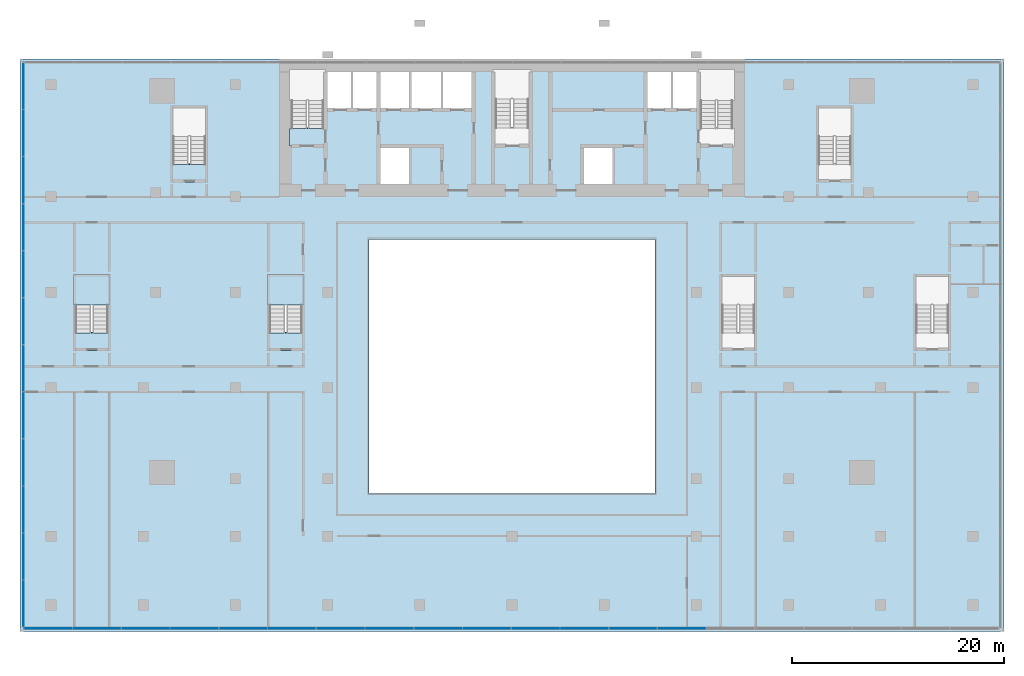
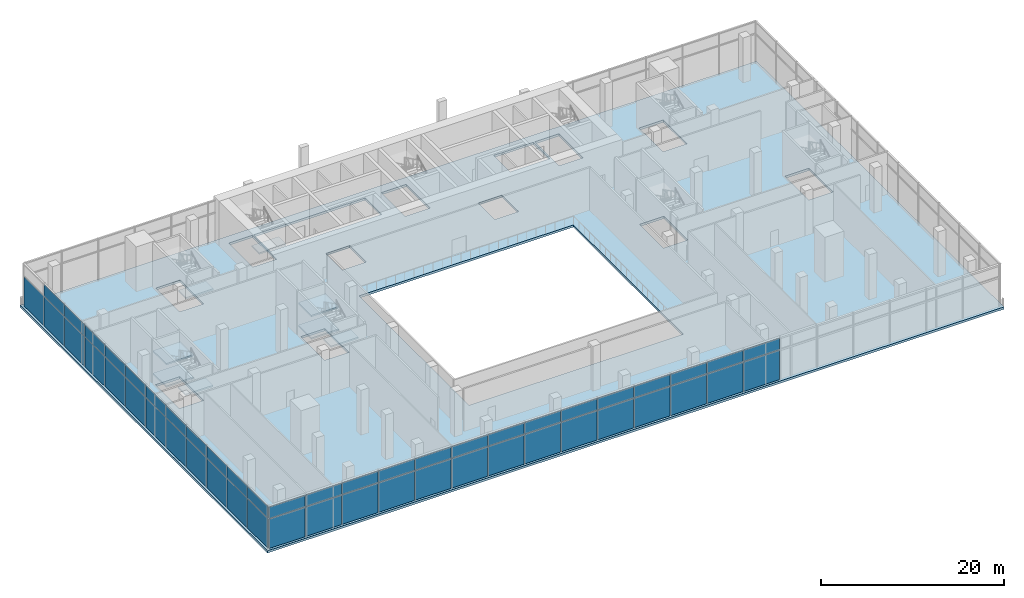
# One storey, part 9 of 22: 51 plates, 9 slabs, 6 elements without a shape of their own.
"""IFC4 building model written with IfcOpenShell, lengths in metres."""

from ifc_helpers import new_model, si_unit, direction, frame, origin, origin_2d, place, context, subcontext, project, spatial, polyline, rectangle, outline, extrude, material, layer, layer_set, type_object, element, aggregate, save


model = new_model("IFC4")

# Units and contexts
model_context = context("Model", 3, precision=1e-05, world=origin(), true_north=direction((0.0, 1.0)))
body_context = subcontext(model_context, "Body", "Model", "MODEL_VIEW")
ifc_project = project(units=[si_unit("LENGTHUNIT", "METRE"), si_unit("AREAUNIT", "SQUARE_METRE"), si_unit("VOLUMEUNIT", "CUBIC_METRE"), si_unit("PLANEANGLEUNIT", "RADIAN"), si_unit("MASSUNIT", "GRAM", prefix="KILO")], contexts=[model_context])

# Site, building, storey
site_placement = place(None, origin())
site = spatial("IfcSite", under=ifc_project, at=site_placement, CompositionType="ELEMENT")
building_placement = place(site_placement, origin())
building = spatial("IfcBuilding", under=site, at=building_placement, Name="Bicima Exchange Tower", CompositionType="ELEMENT")
storey_placement = place(building_placement, frame((0.0, 0.0, 14.0)))
storey = spatial("IfcBuildingStorey", under=building, at=storey_placement, Name="L02", CompositionType="ELEMENT", Elevation=14.0)

# Curtain wall, plates
ifc_material_1 = material(Name="Stainless steel", Category="steel")
curtain_wall_type_1 = type_object("IfcCurtainWallType", Name="Hall structural glazing", PredefinedType="NOTDEFINED", material=ifc_material_1)
curtain_wall_1_placement = place(storey_placement, origin())
curtain_wall_1 = element("IfcCurtainWall", 1, at=curtain_wall_1_placement, inside=storey, type_object=curtain_wall_type_1, Name="Podium glazing L02 south 1", PredefinedType="NOTDEFINED")
ifc_material_2 = material(Name="Clear low-iron glass", Category="glass")
ifc_layer_1 = layer(ifc_material_2, 0.0439453125)
ifc_layer_set_1 = layer_set([ifc_layer_1], Name="Clear low-iron glass")
plate_type_1 = type_object("IfcPlateType", Name="Hall structural glazing glass panel 44", PredefinedType="CURTAIN_PANEL", material=ifc_layer_set_1)
plate_1_placement = place(storey_placement, frame((-43.7607421875, -53.699951171875, 0.0), z_axis=(0.0, 0.0, 1.0), x_axis=(1.0, 0.0, 0.0)))
plate_1 = element("IfcPlate", 2, at=plate_1_placement, type_object=plate_type_1, Name="Hall structural glazing panel 1.1", PredefinedType="CURTAIN_PANEL", context=body_context, shape_type="SweptSolid", body=[
    extrude(rectangle(XDim=4.5185546875, YDim=0.0439453125, at=origin_2d()), origin(), (0.0, 0.0, 1.0), 3.89990234375),
])
plate_2_placement = place(storey_placement, frame((-43.7607421875, -53.699951171875, 4.0), z_axis=(0.0, 0.0, 1.0), x_axis=(1.0, 0.0, 0.0)))
plate_2 = element("IfcPlate", 3, at=plate_2_placement, type_object=plate_type_1, Name="Hall structural glazing panel 1.2", PredefinedType="CURTAIN_PANEL", context=body_context, shape_type="SweptSolid", body=[
    extrude(rectangle(XDim=4.5185546875, YDim=0.0439453125, at=origin_2d()), origin(), (0.0, 0.0, 1.0), 1.5),
])
plate_3_placement = place(storey_placement, frame((-39.162353515625, -53.699951171875, 0.0), z_axis=(0.0, 0.0, 1.0), x_axis=(1.0, 0.0, 0.0)))
plate_3 = element("IfcPlate", 4, at=plate_3_placement, type_object=plate_type_1, Name="Hall structural glazing panel 2.1", PredefinedType="CURTAIN_PANEL", context=body_context, shape_type="SweptSolid", body=[
    extrude(rectangle(XDim=4.5185546875, YDim=0.0439453125, at=origin_2d()), origin(), (0.0, 0.0, 1.0), 3.89990234375),
])
plate_4_placement = place(storey_placement, frame((-39.162353515625, -53.699951171875, 4.0), z_axis=(0.0, 0.0, 1.0), x_axis=(1.0, 0.0, 0.0)))
plate_4 = element("IfcPlate", 5, at=plate_4_placement, type_object=plate_type_1, Name="Hall structural glazing panel 2.2", PredefinedType="CURTAIN_PANEL", context=body_context, shape_type="SweptSolid", body=[
    extrude(rectangle(XDim=4.5185546875, YDim=0.0439453125, at=origin_2d()), origin(), (0.0, 0.0, 1.0), 1.5),
])
plate_5_placement = place(storey_placement, frame((-34.563720703125, -53.699951171875, 0.0), z_axis=(0.0, 0.0, 1.0), x_axis=(1.0, 0.0, 0.0)))
plate_5 = element("IfcPlate", 6, at=plate_5_placement, type_object=plate_type_1, Name="Hall structural glazing panel 3.1", PredefinedType="CURTAIN_PANEL", context=body_context, shape_type="SweptSolid", body=[
    extrude(rectangle(XDim=4.5185546875, YDim=0.0439453125, at=origin_2d()), origin(), (0.0, 0.0, 1.0), 3.89990234375),
])
plate_6_placement = place(storey_placement, frame((-34.563720703125, -53.699951171875, 4.0), z_axis=(0.0, 0.0, 1.0), x_axis=(1.0, 0.0, 0.0)))
plate_6 = element("IfcPlate", 7, at=plate_6_placement, type_object=plate_type_1, Name="Hall structural glazing panel 3.2", PredefinedType="CURTAIN_PANEL", context=body_context, shape_type="SweptSolid", body=[
    extrude(rectangle(XDim=4.5185546875, YDim=0.0439453125, at=origin_2d()), origin(), (0.0, 0.0, 1.0), 1.5),
])
plate_7_placement = place(storey_placement, frame((-29.96533203125, -53.699951171875, 0.0), z_axis=(0.0, 0.0, 1.0), x_axis=(1.0, 0.0, 0.0)))
plate_7 = element("IfcPlate", 8, at=plate_7_placement, type_object=plate_type_1, Name="Hall structural glazing panel 4.1", PredefinedType="CURTAIN_PANEL", context=body_context, shape_type="SweptSolid", body=[
    extrude(rectangle(XDim=4.5185546875, YDim=0.0439453125, at=origin_2d()), origin(), (0.0, 0.0, 1.0), 3.89990234375),
])
plate_8_placement = place(storey_placement, frame((-29.96533203125, -53.699951171875, 4.0), z_axis=(0.0, 0.0, 1.0), x_axis=(1.0, 0.0, 0.0)))
plate_8 = element("IfcPlate", 9, at=plate_8_placement, type_object=plate_type_1, Name="Hall structural glazing panel 4.2", PredefinedType="CURTAIN_PANEL", context=body_context, shape_type="SweptSolid", body=[
    extrude(rectangle(XDim=4.5185546875, YDim=0.0439453125, at=origin_2d()), origin(), (0.0, 0.0, 1.0), 1.5),
])
plate_9_placement = place(storey_placement, frame((-25.36669921875, -53.699951171875, 0.0), z_axis=(0.0, 0.0, 1.0), x_axis=(1.0, 0.0, 0.0)))
plate_9 = element("IfcPlate", 10, at=plate_9_placement, type_object=plate_type_1, Name="Hall structural glazing panel 5.1", PredefinedType="CURTAIN_PANEL", context=body_context, shape_type="SweptSolid", body=[
    extrude(rectangle(XDim=4.5185546875, YDim=0.0439453125, at=origin_2d()), origin(), (0.0, 0.0, 1.0), 3.89990234375),
])
plate_10_placement = place(storey_placement, frame((-25.36669921875, -53.699951171875, 4.0), z_axis=(0.0, 0.0, 1.0), x_axis=(1.0, 0.0, 0.0)))
plate_10 = element("IfcPlate", 11, at=plate_10_placement, type_object=plate_type_1, Name="Hall structural glazing panel 5.2", PredefinedType="CURTAIN_PANEL", context=body_context, shape_type="SweptSolid", body=[
    extrude(rectangle(XDim=4.5185546875, YDim=0.0439453125, at=origin_2d()), origin(), (0.0, 0.0, 1.0), 1.5),
])
plate_11_placement = place(storey_placement, frame((-20.768310546875, -53.699951171875, 0.0), z_axis=(0.0, 0.0, 1.0), x_axis=(1.0, 0.0, 0.0)))
plate_11 = element("IfcPlate", 12, at=plate_11_placement, type_object=plate_type_1, Name="Hall structural glazing panel 6.1", PredefinedType="CURTAIN_PANEL", context=body_context, shape_type="SweptSolid", body=[
    extrude(rectangle(XDim=4.5185546875, YDim=0.0439453125, at=origin_2d()), origin(), (0.0, 0.0, 1.0), 3.89990234375),
])
plate_12_placement = place(storey_placement, frame((-20.768310546875, -53.699951171875, 4.0), z_axis=(0.0, 0.0, 1.0), x_axis=(1.0, 0.0, 0.0)))
plate_12 = element("IfcPlate", 13, at=plate_12_placement, type_object=plate_type_1, Name="Hall structural glazing panel 6.2", PredefinedType="CURTAIN_PANEL", context=body_context, shape_type="SweptSolid", body=[
    extrude(rectangle(XDim=4.5185546875, YDim=0.0439453125, at=origin_2d()), origin(), (0.0, 0.0, 1.0), 1.5),
])
plate_13_placement = place(storey_placement, frame((-16.169921875, -53.699951171875, 0.0), z_axis=(0.0, 0.0, 1.0), x_axis=(1.0, 0.0, 0.0)))
plate_13 = element("IfcPlate", 14, at=plate_13_placement, type_object=plate_type_1, Name="Hall structural glazing panel 7.1", PredefinedType="CURTAIN_PANEL", context=body_context, shape_type="SweptSolid", body=[
    extrude(rectangle(XDim=4.5185546875, YDim=0.0439453125, at=origin_2d()), origin(), (0.0, 0.0, 1.0), 3.89990234375),
])
plate_14_placement = place(storey_placement, frame((-16.169921875, -53.699951171875, 4.0), z_axis=(0.0, 0.0, 1.0), x_axis=(1.0, 0.0, 0.0)))
plate_14 = element("IfcPlate", 15, at=plate_14_placement, type_object=plate_type_1, Name="Hall structural glazing panel 7.2", PredefinedType="CURTAIN_PANEL", context=body_context, shape_type="SweptSolid", body=[
    extrude(rectangle(XDim=4.5185546875, YDim=0.0439453125, at=origin_2d()), origin(), (0.0, 0.0, 1.0), 1.5),
])
plate_15_placement = place(storey_placement, frame((-11.5712890625, -53.699951171875, 0.0), z_axis=(0.0, 0.0, 1.0), x_axis=(1.0, 0.0, 0.0)))
plate_15 = element("IfcPlate", 16, at=plate_15_placement, type_object=plate_type_1, Name="Hall structural glazing panel 8.1", PredefinedType="CURTAIN_PANEL", context=body_context, shape_type="SweptSolid", body=[
    extrude(rectangle(XDim=4.5185546875, YDim=0.0439453125, at=origin_2d()), origin(), (0.0, 0.0, 1.0), 3.89990234375),
])
plate_16_placement = place(storey_placement, frame((-11.5712890625, -53.699951171875, 4.0), z_axis=(0.0, 0.0, 1.0), x_axis=(1.0, 0.0, 0.0)))
plate_16 = element("IfcPlate", 17, at=plate_16_placement, type_object=plate_type_1, Name="Hall structural glazing panel 8.2", PredefinedType="CURTAIN_PANEL", context=body_context, shape_type="SweptSolid", body=[
    extrude(rectangle(XDim=4.5185546875, YDim=0.0439453125, at=origin_2d()), origin(), (0.0, 0.0, 1.0), 1.5),
])
plate_17_placement = place(storey_placement, frame((-6.972900390625, -53.699951171875, 0.0), z_axis=(0.0, 0.0, 1.0), x_axis=(1.0, 0.0, 0.0)))
plate_17 = element("IfcPlate", 18, at=plate_17_placement, type_object=plate_type_1, Name="Hall structural glazing panel 9.1", PredefinedType="CURTAIN_PANEL", context=body_context, shape_type="SweptSolid", body=[
    extrude(rectangle(XDim=4.5185546875, YDim=0.0439453125, at=origin_2d()), origin(), (0.0, 0.0, 1.0), 3.89990234375),
])
plate_18_placement = place(storey_placement, frame((-6.972900390625, -53.699951171875, 4.0), z_axis=(0.0, 0.0, 1.0), x_axis=(1.0, 0.0, 0.0)))
plate_18 = element("IfcPlate", 19, at=plate_18_placement, type_object=plate_type_1, Name="Hall structural glazing panel 9.2", PredefinedType="CURTAIN_PANEL", context=body_context, shape_type="SweptSolid", body=[
    extrude(rectangle(XDim=4.5185546875, YDim=0.0439453125, at=origin_2d()), origin(), (0.0, 0.0, 1.0), 1.5),
])
plate_19_placement = place(storey_placement, frame((-2.374267578125, -53.699951171875, 0.0), z_axis=(0.0, 0.0, 1.0), x_axis=(1.0, 0.0, 0.0)))
plate_19 = element("IfcPlate", 20, at=plate_19_placement, type_object=plate_type_1, Name="Hall structural glazing panel 10.1", PredefinedType="CURTAIN_PANEL", context=body_context, shape_type="SweptSolid", body=[
    extrude(rectangle(XDim=4.5185546875, YDim=0.0439453125, at=origin_2d()), origin(), (0.0, 0.0, 1.0), 3.89990234375),
])
plate_20_placement = place(storey_placement, frame((-2.374267578125, -53.699951171875, 4.0), z_axis=(0.0, 0.0, 1.0), x_axis=(1.0, 0.0, 0.0)))
plate_20 = element("IfcPlate", 21, at=plate_20_placement, type_object=plate_type_1, Name="Hall structural glazing panel 10.2", PredefinedType="CURTAIN_PANEL", context=body_context, shape_type="SweptSolid", body=[
    extrude(rectangle(XDim=4.5185546875, YDim=0.0439453125, at=origin_2d()), origin(), (0.0, 0.0, 1.0), 1.5),
])
plate_21_placement = place(storey_placement, frame((2.22412109375, -53.699951171875, 0.0), z_axis=(0.0, 0.0, 1.0), x_axis=(1.0, 0.0, 0.0)))
plate_21 = element("IfcPlate", 22, at=plate_21_placement, type_object=plate_type_1, Name="Hall structural glazing panel 11.1", PredefinedType="CURTAIN_PANEL", context=body_context, shape_type="SweptSolid", body=[
    extrude(rectangle(XDim=4.5185546875, YDim=0.0439453125, at=origin_2d()), origin(), (0.0, 0.0, 1.0), 3.89990234375),
])
plate_22_placement = place(storey_placement, frame((2.22412109375, -53.699951171875, 4.0), z_axis=(0.0, 0.0, 1.0), x_axis=(1.0, 0.0, 0.0)))
plate_22 = element("IfcPlate", 23, at=plate_22_placement, type_object=plate_type_1, Name="Hall structural glazing panel 11.2", PredefinedType="CURTAIN_PANEL", context=body_context, shape_type="SweptSolid", body=[
    extrude(rectangle(XDim=4.5185546875, YDim=0.0439453125, at=origin_2d()), origin(), (0.0, 0.0, 1.0), 1.5),
])
plate_23_placement = place(storey_placement, frame((6.82275390625, -53.699951171875, 0.0), z_axis=(0.0, 0.0, 1.0), x_axis=(1.0, 0.0, 0.0)))
plate_23 = element("IfcPlate", 24, at=plate_23_placement, type_object=plate_type_1, Name="Hall structural glazing panel 12.1", PredefinedType="CURTAIN_PANEL", context=body_context, shape_type="SweptSolid", body=[
    extrude(rectangle(XDim=4.5185546875, YDim=0.0439453125, at=origin_2d()), origin(), (0.0, 0.0, 1.0), 3.89990234375),
])
plate_24_placement = place(storey_placement, frame((6.82275390625, -53.699951171875, 4.0), z_axis=(0.0, 0.0, 1.0), x_axis=(1.0, 0.0, 0.0)))
plate_24 = element("IfcPlate", 25, at=plate_24_placement, type_object=plate_type_1, Name="Hall structural glazing panel 12.2", PredefinedType="CURTAIN_PANEL", context=body_context, shape_type="SweptSolid", body=[
    extrude(rectangle(XDim=4.5185546875, YDim=0.0439453125, at=origin_2d()), origin(), (0.0, 0.0, 1.0), 1.5),
])
plate_25_placement = place(storey_placement, frame((11.421142578125, -53.699951171875, 0.0), z_axis=(0.0, 0.0, 1.0), x_axis=(1.0, 0.0, 0.0)))
plate_25 = element("IfcPlate", 26, at=plate_25_placement, type_object=plate_type_1, Name="Hall structural glazing panel 13.1", PredefinedType="CURTAIN_PANEL", context=body_context, shape_type="SweptSolid", body=[
    extrude(rectangle(XDim=4.5185546875, YDim=0.0439453125, at=origin_2d()), origin(), (0.0, 0.0, 1.0), 3.89990234375),
])
plate_26_placement = place(storey_placement, frame((11.421142578125, -53.699951171875, 4.0), z_axis=(0.0, 0.0, 1.0), x_axis=(1.0, 0.0, 0.0)))
plate_26 = element("IfcPlate", 27, at=plate_26_placement, type_object=plate_type_1, Name="Hall structural glazing panel 13.2", PredefinedType="CURTAIN_PANEL", context=body_context, shape_type="SweptSolid", body=[
    extrude(rectangle(XDim=4.5185546875, YDim=0.0439453125, at=origin_2d()), origin(), (0.0, 0.0, 1.0), 1.5),
])
plate_27_placement = place(storey_placement, frame((16.019775390625, -53.699951171875, 0.0), z_axis=(0.0, 0.0, 1.0), x_axis=(1.0, 0.0, 0.0)))
plate_27 = element("IfcPlate", 28, at=plate_27_placement, type_object=plate_type_1, Name="Hall structural glazing panel 14.1", PredefinedType="CURTAIN_PANEL", context=body_context, shape_type="SweptSolid", body=[
    extrude(rectangle(XDim=4.5185546875, YDim=0.0439453125, at=origin_2d()), origin(), (0.0, 0.0, 1.0), 3.89990234375),
])
plate_28_placement = place(storey_placement, frame((16.019775390625, -53.699951171875, 4.0), z_axis=(0.0, 0.0, 1.0), x_axis=(1.0, 0.0, 0.0)))
plate_28 = element("IfcPlate", 29, at=plate_28_placement, type_object=plate_type_1, Name="Hall structural glazing panel 14.2", PredefinedType="CURTAIN_PANEL", context=body_context, shape_type="SweptSolid", body=[
    extrude(rectangle(XDim=4.5185546875, YDim=0.0439453125, at=origin_2d()), origin(), (0.0, 0.0, 1.0), 1.5),
])
aggregate(curtain_wall_1, [plate_1, plate_2, plate_3, plate_4, plate_5, plate_6, plate_7, plate_8, plate_9, plate_10, plate_11, plate_12, plate_13, plate_14, plate_15, plate_16, plate_17, plate_18, plate_19, plate_20, plate_21, plate_22, plate_23, plate_24, plate_25, plate_26, plate_27, plate_28])

ifc_material_3 = material(Name="Anodised bronze aluminium", Category="aluminium")
curtain_wall_type_2 = type_object("IfcCurtainWallType", Name="Lobby glazing", PredefinedType="NOTDEFINED", material=ifc_material_3)
curtain_wall_2_placement = place(storey_placement, origin())
curtain_wall_2 = element("IfcCurtainWall", 30, at=curtain_wall_2_placement, inside=storey, type_object=curtain_wall_type_2, Name="Podium glazing L02 west 1", PredefinedType="NOTDEFINED")
ifc_layer_2 = layer(ifc_material_2, 0.035888671875)
ifc_layer_set_2 = layer_set([ifc_layer_2], Name="Clear low-iron glass")
plate_type_2 = type_object("IfcPlateType", Name="Lobby glazing glass panel 36", PredefinedType="CURTAIN_PANEL", material=ifc_layer_set_2)
plate_29_placement = place(storey_placement, frame((-46.10009765625, -2.54833984375, 0.0), z_axis=(0.0, 0.0, 1.0), x_axis=(0.0, -1.0, 0.0)))
plate_29 = element("IfcPlate", 31, at=plate_29_placement, type_object=plate_type_2, Name="Lobby glazing panel 1.1", PredefinedType="CURTAIN_PANEL", context=body_context, shape_type="SweptSolid", body=[
    extrude(rectangle(XDim=4.376708984375, YDim=0.035888671875, at=origin_2d()), origin(), (0.0, 0.0, 1.0), 3.929931640625),
])
plate_30_placement = place(storey_placement, frame((-46.10009765625, -6.985107421875, 0.0), z_axis=(0.0, 0.0, 1.0), x_axis=(0.0, -1.0, 0.0)))
plate_30 = element("IfcPlate", 32, at=plate_30_placement, type_object=plate_type_2, Name="Lobby glazing panel 2.1", PredefinedType="CURTAIN_PANEL", context=body_context, shape_type="SweptSolid", body=[
    extrude(rectangle(XDim=4.376708984375, YDim=0.035888671875, at=origin_2d()), origin(), (0.0, 0.0, 1.0), 3.929931640625),
])
plate_31_placement = place(storey_placement, frame((-46.10009765625, -6.985107421875, 4.0), z_axis=(0.0, 0.0, 1.0), x_axis=(0.0, -1.0, 0.0)))
plate_31 = element("IfcPlate", 33, at=plate_31_placement, type_object=plate_type_2, Name="Lobby glazing panel 2.2", PredefinedType="CURTAIN_PANEL", context=body_context, shape_type="SweptSolid", body=[
    extrude(rectangle(XDim=4.376708984375, YDim=0.035888671875, at=origin_2d()), origin(), (0.0, 0.0, 1.0), 1.56005859375),
])
plate_32_placement = place(storey_placement, frame((-46.10009765625, -11.421630859375, 0.0), z_axis=(0.0, 0.0, 1.0), x_axis=(0.0, -1.0, 0.0)))
plate_32 = element("IfcPlate", 34, at=plate_32_placement, type_object=plate_type_2, Name="Lobby glazing panel 3.1", PredefinedType="CURTAIN_PANEL", context=body_context, shape_type="SweptSolid", body=[
    extrude(rectangle(XDim=4.376708984375, YDim=0.035888671875, at=origin_2d()), origin(), (0.0, 0.0, 1.0), 3.929931640625),
])
plate_33_placement = place(storey_placement, frame((-46.10009765625, -11.421630859375, 4.0), z_axis=(0.0, 0.0, 1.0), x_axis=(0.0, -1.0, 0.0)))
plate_33 = element("IfcPlate", 35, at=plate_33_placement, type_object=plate_type_2, Name="Lobby glazing panel 3.2", PredefinedType="CURTAIN_PANEL", context=body_context, shape_type="SweptSolid", body=[
    extrude(rectangle(XDim=4.376708984375, YDim=0.035888671875, at=origin_2d()), origin(), (0.0, 0.0, 1.0), 1.56005859375),
])
plate_34_placement = place(storey_placement, frame((-46.10009765625, -15.8583984375, 0.0), z_axis=(0.0, 0.0, 1.0), x_axis=(0.0, -1.0, 0.0)))
plate_34 = element("IfcPlate", 36, at=plate_34_placement, type_object=plate_type_2, Name="Lobby glazing panel 4.1", PredefinedType="CURTAIN_PANEL", context=body_context, shape_type="SweptSolid", body=[
    extrude(rectangle(XDim=4.376708984375, YDim=0.035888671875, at=origin_2d()), origin(), (0.0, 0.0, 1.0), 3.929931640625),
])
plate_35_placement = place(storey_placement, frame((-46.10009765625, -15.8583984375, 4.0), z_axis=(0.0, 0.0, 1.0), x_axis=(0.0, -1.0, 0.0)))
plate_35 = element("IfcPlate", 37, at=plate_35_placement, type_object=plate_type_2, Name="Lobby glazing panel 4.2", PredefinedType="CURTAIN_PANEL", context=body_context, shape_type="SweptSolid", body=[
    extrude(rectangle(XDim=4.376708984375, YDim=0.035888671875, at=origin_2d()), origin(), (0.0, 0.0, 1.0), 1.56005859375),
])
plate_36_placement = place(storey_placement, frame((-46.10009765625, -20.294921875, 0.0), z_axis=(0.0, 0.0, 1.0), x_axis=(0.0, -1.0, 0.0)))
plate_36 = element("IfcPlate", 38, at=plate_36_placement, type_object=plate_type_2, Name="Lobby glazing panel 5.1", PredefinedType="CURTAIN_PANEL", context=body_context, shape_type="SweptSolid", body=[
    extrude(rectangle(XDim=4.376708984375, YDim=0.035888671875, at=origin_2d()), origin(), (0.0, 0.0, 1.0), 3.929931640625),
])
plate_37_placement = place(storey_placement, frame((-46.10009765625, -20.294921875, 4.0), z_axis=(0.0, 0.0, 1.0), x_axis=(0.0, -1.0, 0.0)))
plate_37 = element("IfcPlate", 39, at=plate_37_placement, type_object=plate_type_2, Name="Lobby glazing panel 5.2", PredefinedType="CURTAIN_PANEL", context=body_context, shape_type="SweptSolid", body=[
    extrude(rectangle(XDim=4.376708984375, YDim=0.035888671875, at=origin_2d()), origin(), (0.0, 0.0, 1.0), 1.56005859375),
])
plate_38_placement = place(storey_placement, frame((-46.10009765625, -24.731689453125, 0.0), z_axis=(0.0, 0.0, 1.0), x_axis=(0.0, -1.0, 0.0)))
plate_38 = element("IfcPlate", 40, at=plate_38_placement, type_object=plate_type_2, Name="Lobby glazing panel 6.1", PredefinedType="CURTAIN_PANEL", context=body_context, shape_type="SweptSolid", body=[
    extrude(rectangle(XDim=4.376708984375, YDim=0.035888671875, at=origin_2d()), origin(), (0.0, 0.0, 1.0), 3.929931640625),
])
plate_39_placement = place(storey_placement, frame((-46.10009765625, -24.731689453125, 4.0), z_axis=(0.0, 0.0, 1.0), x_axis=(0.0, -1.0, 0.0)))
plate_39 = element("IfcPlate", 41, at=plate_39_placement, type_object=plate_type_2, Name="Lobby glazing panel 6.2", PredefinedType="CURTAIN_PANEL", context=body_context, shape_type="SweptSolid", body=[
    extrude(rectangle(XDim=4.376708984375, YDim=0.035888671875, at=origin_2d()), origin(), (0.0, 0.0, 1.0), 1.56005859375),
])
plate_40_placement = place(storey_placement, frame((-46.10009765625, -29.168212890625, 0.0), z_axis=(0.0, 0.0, 1.0), x_axis=(0.0, -1.0, 0.0)))
plate_40 = element("IfcPlate", 42, at=plate_40_placement, type_object=plate_type_2, Name="Lobby glazing panel 7.1", PredefinedType="CURTAIN_PANEL", context=body_context, shape_type="SweptSolid", body=[
    extrude(rectangle(XDim=4.376708984375, YDim=0.035888671875, at=origin_2d()), origin(), (0.0, 0.0, 1.0), 3.929931640625),
])
plate_41_placement = place(storey_placement, frame((-46.10009765625, -29.168212890625, 4.0), z_axis=(0.0, 0.0, 1.0), x_axis=(0.0, -1.0, 0.0)))
plate_41 = element("IfcPlate", 43, at=plate_41_placement, type_object=plate_type_2, Name="Lobby glazing panel 7.2", PredefinedType="CURTAIN_PANEL", context=body_context, shape_type="SweptSolid", body=[
    extrude(rectangle(XDim=4.376708984375, YDim=0.035888671875, at=origin_2d()), origin(), (0.0, 0.0, 1.0), 1.56005859375),
])
plate_42_placement = place(storey_placement, frame((-46.10009765625, -33.60498046875, 0.0), z_axis=(0.0, 0.0, 1.0), x_axis=(0.0, -1.0, 0.0)))
plate_42 = element("IfcPlate", 44, at=plate_42_placement, type_object=plate_type_2, Name="Lobby glazing panel 8.1", PredefinedType="CURTAIN_PANEL", context=body_context, shape_type="SweptSolid", body=[
    extrude(rectangle(XDim=4.376708984375, YDim=0.035888671875, at=origin_2d()), origin(), (0.0, 0.0, 1.0), 3.929931640625),
])
plate_43_placement = place(storey_placement, frame((-46.10009765625, -33.60498046875, 4.0), z_axis=(0.0, 0.0, 1.0), x_axis=(0.0, -1.0, 0.0)))
plate_43 = element("IfcPlate", 45, at=plate_43_placement, type_object=plate_type_2, Name="Lobby glazing panel 8.2", PredefinedType="CURTAIN_PANEL", context=body_context, shape_type="SweptSolid", body=[
    extrude(rectangle(XDim=4.376708984375, YDim=0.035888671875, at=origin_2d()), origin(), (0.0, 0.0, 1.0), 1.56005859375),
])
plate_44_placement = place(storey_placement, frame((-46.10009765625, -38.041748046875, 0.0), z_axis=(0.0, 0.0, 1.0), x_axis=(0.0, -1.0, 0.0)))
plate_44 = element("IfcPlate", 46, at=plate_44_placement, type_object=plate_type_2, Name="Lobby glazing panel 9.1", PredefinedType="CURTAIN_PANEL", context=body_context, shape_type="SweptSolid", body=[
    extrude(rectangle(XDim=4.376708984375, YDim=0.035888671875, at=origin_2d()), origin(), (0.0, 0.0, 1.0), 3.929931640625),
])
plate_45_placement = place(storey_placement, frame((-46.10009765625, -38.041748046875, 4.0), z_axis=(0.0, 0.0, 1.0), x_axis=(0.0, -1.0, 0.0)))
plate_45 = element("IfcPlate", 47, at=plate_45_placement, type_object=plate_type_2, Name="Lobby glazing panel 9.2", PredefinedType="CURTAIN_PANEL", context=body_context, shape_type="SweptSolid", body=[
    extrude(rectangle(XDim=4.376708984375, YDim=0.035888671875, at=origin_2d()), origin(), (0.0, 0.0, 1.0), 1.56005859375),
])
plate_46_placement = place(storey_placement, frame((-46.10009765625, -42.478271484375, 0.0), z_axis=(0.0, 0.0, 1.0), x_axis=(0.0, -1.0, 0.0)))
plate_46 = element("IfcPlate", 48, at=plate_46_placement, type_object=plate_type_2, Name="Lobby glazing panel 10.1", PredefinedType="CURTAIN_PANEL", context=body_context, shape_type="SweptSolid", body=[
    extrude(rectangle(XDim=4.376708984375, YDim=0.035888671875, at=origin_2d()), origin(), (0.0, 0.0, 1.0), 3.929931640625),
])
plate_47_placement = place(storey_placement, frame((-46.10009765625, -42.478271484375, 4.0), z_axis=(0.0, 0.0, 1.0), x_axis=(0.0, -1.0, 0.0)))
plate_47 = element("IfcPlate", 49, at=plate_47_placement, type_object=plate_type_2, Name="Lobby glazing panel 10.2", PredefinedType="CURTAIN_PANEL", context=body_context, shape_type="SweptSolid", body=[
    extrude(rectangle(XDim=4.376708984375, YDim=0.035888671875, at=origin_2d()), origin(), (0.0, 0.0, 1.0), 1.56005859375),
])
plate_48_placement = place(storey_placement, frame((-46.10009765625, -46.9150390625, 0.0), z_axis=(0.0, 0.0, 1.0), x_axis=(0.0, -1.0, 0.0)))
plate_48 = element("IfcPlate", 50, at=plate_48_placement, type_object=plate_type_2, Name="Lobby glazing panel 11.1", PredefinedType="CURTAIN_PANEL", context=body_context, shape_type="SweptSolid", body=[
    extrude(rectangle(XDim=4.376708984375, YDim=0.035888671875, at=origin_2d()), origin(), (0.0, 0.0, 1.0), 3.929931640625),
])
plate_49_placement = place(storey_placement, frame((-46.10009765625, -46.9150390625, 4.0), z_axis=(0.0, 0.0, 1.0), x_axis=(0.0, -1.0, 0.0)))
plate_49 = element("IfcPlate", 51, at=plate_49_placement, type_object=plate_type_2, Name="Lobby glazing panel 11.2", PredefinedType="CURTAIN_PANEL", context=body_context, shape_type="SweptSolid", body=[
    extrude(rectangle(XDim=4.376708984375, YDim=0.035888671875, at=origin_2d()), origin(), (0.0, 0.0, 1.0), 1.56005859375),
])
plate_50_placement = place(storey_placement, frame((-46.10009765625, -51.351806640625, 0.0), z_axis=(0.0, 0.0, 1.0), x_axis=(0.0, -1.0, 0.0)))
plate_50 = element("IfcPlate", 52, at=plate_50_placement, type_object=plate_type_2, Name="Lobby glazing panel 12.1", PredefinedType="CURTAIN_PANEL", context=body_context, shape_type="SweptSolid", body=[
    extrude(rectangle(XDim=4.376708984375, YDim=0.035888671875, at=origin_2d()), origin(), (0.0, 0.0, 1.0), 3.929931640625),
])
plate_51_placement = place(storey_placement, frame((-46.10009765625, -51.351806640625, 4.0), z_axis=(0.0, 0.0, 1.0), x_axis=(0.0, -1.0, 0.0)))
plate_51 = element("IfcPlate", 53, at=plate_51_placement, type_object=plate_type_2, Name="Lobby glazing panel 12.2", PredefinedType="CURTAIN_PANEL", context=body_context, shape_type="SweptSolid", body=[
    extrude(rectangle(XDim=4.376708984375, YDim=0.035888671875, at=origin_2d()), origin(), (0.0, 0.0, 1.0), 1.56005859375),
])
aggregate(curtain_wall_2, [plate_29, plate_30, plate_31, plate_32, plate_33, plate_34, plate_35, plate_36, plate_37, plate_38, plate_39, plate_40, plate_41, plate_42, plate_43, plate_44, plate_45, plate_46, plate_47, plate_48, plate_49, plate_50, plate_51])

# Slab
ifc_material_4 = material(Name="Concrete C40/50", Category="concrete")
ifc_layer_3 = layer(ifc_material_4, 0.300048828125)
ifc_layer_set_3 = layer_set([ifc_layer_3], Name="Concrete C40/50")
slab_type_1 = type_object("IfcSlabType", Name="Reinforced concrete flat plate 300", PredefinedType="FLOOR", material=ifc_layer_set_3)
slab_1_placement = place(storey_placement, frame((0.0, 0.0, -0.300048828125)))
element("IfcSlab", 54, at=slab_1_placement, inside=storey, type_object=slab_type_1, Name="Floor slab", PredefinedType="FLOOR", context=body_context, shape_type="SweptSolid", body=[
    extrude(outline(polyline([(-46.39990234375, 0.0), (46.39990234375, 0.0), (46.39990234375, -54.0), (-46.39990234375, -54.0), (-46.39990234375, 0.0)]), holes=[polyline([(-41.175048828125, -25.72509765625), (-38.125, -25.72509765625), (-38.125, -20.52490234375), (-41.175048828125, -20.52490234375), (-41.175048828125, -25.72509765625)]), polyline([(-22.875, -25.72509765625), (-19.824951171875, -25.72509765625), (-19.824951171875, -20.52490234375), (-22.875, -20.52490234375), (-22.875, -25.72509765625)]), polyline([(-12.60009765625, -11.800048828125), (-9.60009765625, -11.800048828125), (-9.60009765625, -8.199951171875), (-12.60009765625, -8.199951171875), (-12.60009765625, -11.800048828125)]), polyline([(-31.97509765625, -9.824951171875), (-28.925048828125, -9.824951171875), (-28.925048828125, -4.625), (-31.97509765625, -4.625), (-31.97509765625, -9.824951171875)]), polyline([(-20.800048828125, -6.449951171875), (-17.800048828125, -6.449951171875), (-17.800048828125, -1.199951171875), (-20.800048828125, -1.199951171875), (-20.800048828125, -6.449951171875)]), polyline([(-17.60009765625, -1.199951171875), (-17.60009765625, -4.800048828125), (-15.10009765625, -4.800048828125), (-12.60009765625, -4.800048828125), (-9.60009765625, -4.800048828125), (-6.60009765625, -4.800048828125), (-3.60009765625, -4.800048828125), (-3.60009765625, -1.199951171875), (-6.60009765625, -1.199951171875), (-9.60009765625, -1.199951171875), (-12.60009765625, -1.199951171875), (-15.10009765625, -1.199951171875), (-17.60009765625, -1.199951171875)]), polyline([(13.5, -17.0), (-13.5, -17.0), (-13.5, -41.0), (13.5, -41.0), (13.5, -17.0)]), polyline([(19.824951171875, -25.72509765625), (22.875, -25.72509765625), (22.875, -20.52490234375), (19.824951171875, -20.52490234375), (19.824951171875, -25.72509765625)]), polyline([(38.125, -20.52490234375), (38.125, -25.72509765625), (41.175048828125, -25.72509765625), (41.175048828125, -20.52490234375), (38.125, -20.52490234375)]), polyline([(6.60009765625, -8.199951171875), (6.60009765625, -11.800048828125), (9.60009765625, -11.800048828125), (9.60009765625, -8.199951171875), (6.60009765625, -8.199951171875)]), polyline([(28.925048828125, -9.824951171875), (31.97509765625, -9.824951171875), (31.97509765625, -4.625), (28.925048828125, -4.625), (28.925048828125, -9.824951171875)]), polyline([(17.800048828125, -6.449951171875), (20.800048828125, -6.449951171875), (20.800048828125, -1.199951171875), (17.800048828125, -1.199951171875), (17.800048828125, -6.449951171875)]), polyline([(-1.574951171875, -6.39990234375), (1.574951171875, -6.39990234375), (1.574951171875, -1.199951171875), (-1.574951171875, -1.199951171875), (-1.574951171875, -6.39990234375)]), polyline([(15.10009765625, -4.800048828125), (17.60009765625, -4.800048828125), (17.60009765625, -1.199951171875), (15.10009765625, -1.199951171875), (12.60009765625, -1.199951171875), (12.60009765625, -4.800048828125), (15.10009765625, -4.800048828125)])]), origin(), (0.0, 0.0, 1.0), 0.300048828125),
])

# Stair, slab
ifc_material_5 = material(Name="Concrete C50/60", Category="concrete")
stair_type = type_object("IfcStairType", Name="Exit stair", PredefinedType="HALF_TURN_STAIR", material=ifc_material_5)
stair_1_placement = place(storey_placement, origin())
stair_1 = element("IfcStair", 55, at=stair_1_placement, inside=storey, type_object=stair_type, Name="L02 West exit stair", PredefinedType="HALF_TURN_STAIR")
ifc_layer_4 = layer(ifc_material_5, 0.199951171875)
ifc_layer_set_4 = layer_set([ifc_layer_4], Name="Concrete C50/60")
slab_type_2 = type_object("IfcSlabType", Name="Stair landing slab", PredefinedType="LANDING", material=ifc_layer_set_4)
slab_2_placement = place(storey_placement, frame((0.0, 0.0, 2.800048828125)))
slab_2 = element("IfcSlab", 56, at=slab_2_placement, type_object=slab_type_2, Name="ST-W landing 2", PredefinedType="LANDING", context=body_context, shape_type="SweptSolid", body=[
    extrude(outline(polyline([(-17.60009765625, -8.199951171875), (-17.60009765625, -6.550048828125), (-21.0, -6.550048828125), (-21.0, -8.199951171875), (-17.60009765625, -8.199951171875)])), origin(), (0.0, 0.0, 1.0), 0.199951171875),
])
aggregate(stair_1, [slab_2])

stair_2_placement = place(storey_placement, origin())
stair_2 = element("IfcStair", 57, at=stair_2_placement, inside=storey, type_object=stair_type, Name="L02 West end exit stair", PredefinedType="HALF_TURN_STAIR")
slab_3_placement = place(storey_placement, frame((0.0, 0.0, 2.800048828125)))
slab_3 = element("IfcSlab", 58, at=slab_3_placement, type_object=slab_type_2, Name="ST-WW landing 2", PredefinedType="LANDING", context=body_context, shape_type="SweptSolid", body=[
    extrude(outline(polyline([(-28.72509765625, -11.574951171875), (-28.72509765625, -9.925048828125), (-32.175048828125, -9.925048828125), (-32.175048828125, -11.574951171875), (-28.72509765625, -11.574951171875)])), origin(), (0.0, 0.0, 1.0), 0.199951171875),
])
aggregate(stair_2, [slab_3])

# Stair, slabs
stair_3_placement = place(storey_placement, origin())
stair_3 = element("IfcStair", 59, at=stair_3_placement, inside=storey, type_object=stair_type, Name="L02 Podium west stair", PredefinedType="HALF_TURN_STAIR")
slab_4_placement = place(storey_placement, frame((0.0, 0.0, 1.300048828125)))
slab_4 = element("IfcSlab", 60, at=slab_4_placement, type_object=slab_type_2, Name="PS-W landing 1", PredefinedType="LANDING", context=body_context, shape_type="SweptSolid", body=[
    extrude(outline(polyline([(-37.925048828125, -23.195068359375), (-37.925048828125, -20.324951171875), (-41.375, -20.324951171875), (-41.375, -23.195068359375), (-37.925048828125, -23.195068359375)])), origin(), (0.0, 0.0, 1.0), 0.199951171875),
])
slab_5_placement = place(storey_placement, frame((0.0, 0.0, 2.800048828125)))
slab_5 = element("IfcSlab", 61, at=slab_5_placement, type_object=slab_type_2, Name="PS-W landing 2", PredefinedType="LANDING", context=body_context, shape_type="SweptSolid", body=[
    extrude(outline(polyline([(-37.925048828125, -27.47509765625), (-37.925048828125, -25.824951171875), (-41.375, -25.824951171875), (-41.375, -27.47509765625), (-37.925048828125, -27.47509765625)])), origin(), (0.0, 0.0, 1.0), 0.199951171875),
])
slab_6_placement = place(storey_placement, frame((0.0, 0.0, 4.300048828125)))
slab_6 = element("IfcSlab", 62, at=slab_6_placement, type_object=slab_type_2, Name="PS-W landing 3", PredefinedType="LANDING", context=body_context, shape_type="SweptSolid", body=[
    extrude(outline(polyline([(-37.925048828125, -23.195068359375), (-37.925048828125, -20.324951171875), (-41.375, -20.324951171875), (-41.375, -23.195068359375), (-37.925048828125, -23.195068359375)])), origin(), (0.0, 0.0, 1.0), 0.199951171875),
])
aggregate(stair_3, [slab_4, slab_5, slab_6])

stair_4_placement = place(storey_placement, origin())
stair_4 = element("IfcStair", 63, at=stair_4_placement, inside=storey, type_object=stair_type, Name="L02 Podium inner west stair", PredefinedType="HALF_TURN_STAIR")
slab_7_placement = place(storey_placement, frame((0.0, 0.0, 1.300048828125)))
slab_7 = element("IfcSlab", 64, at=slab_7_placement, type_object=slab_type_2, Name="PS-WI landing 1", PredefinedType="LANDING", context=body_context, shape_type="SweptSolid", body=[
    extrude(outline(polyline([(-19.625, -23.195068359375), (-19.625, -20.324951171875), (-23.074951171875, -20.324951171875), (-23.074951171875, -23.195068359375), (-19.625, -23.195068359375)])), origin(), (0.0, 0.0, 1.0), 0.199951171875),
])
slab_8_placement = place(storey_placement, frame((0.0, 0.0, 2.800048828125)))
slab_8 = element("IfcSlab", 65, at=slab_8_placement, type_object=slab_type_2, Name="PS-WI landing 2", PredefinedType="LANDING", context=body_context, shape_type="SweptSolid", body=[
    extrude(outline(polyline([(-19.625, -27.47509765625), (-19.625, -25.824951171875), (-23.074951171875, -25.824951171875), (-23.074951171875, -27.47509765625), (-19.625, -27.47509765625)])), origin(), (0.0, 0.0, 1.0), 0.199951171875),
])
slab_9_placement = place(storey_placement, frame((0.0, 0.0, 4.300048828125)))
slab_9 = element("IfcSlab", 66, at=slab_9_placement, type_object=slab_type_2, Name="PS-WI landing 3", PredefinedType="LANDING", context=body_context, shape_type="SweptSolid", body=[
    extrude(outline(polyline([(-19.625, -23.195068359375), (-19.625, -20.324951171875), (-23.074951171875, -20.324951171875), (-23.074951171875, -23.195068359375), (-19.625, -23.195068359375)])), origin(), (0.0, 0.0, 1.0), 0.199951171875),
])
aggregate(stair_4, [slab_7, slab_8, slab_9])

save(model, "model.ifc")
